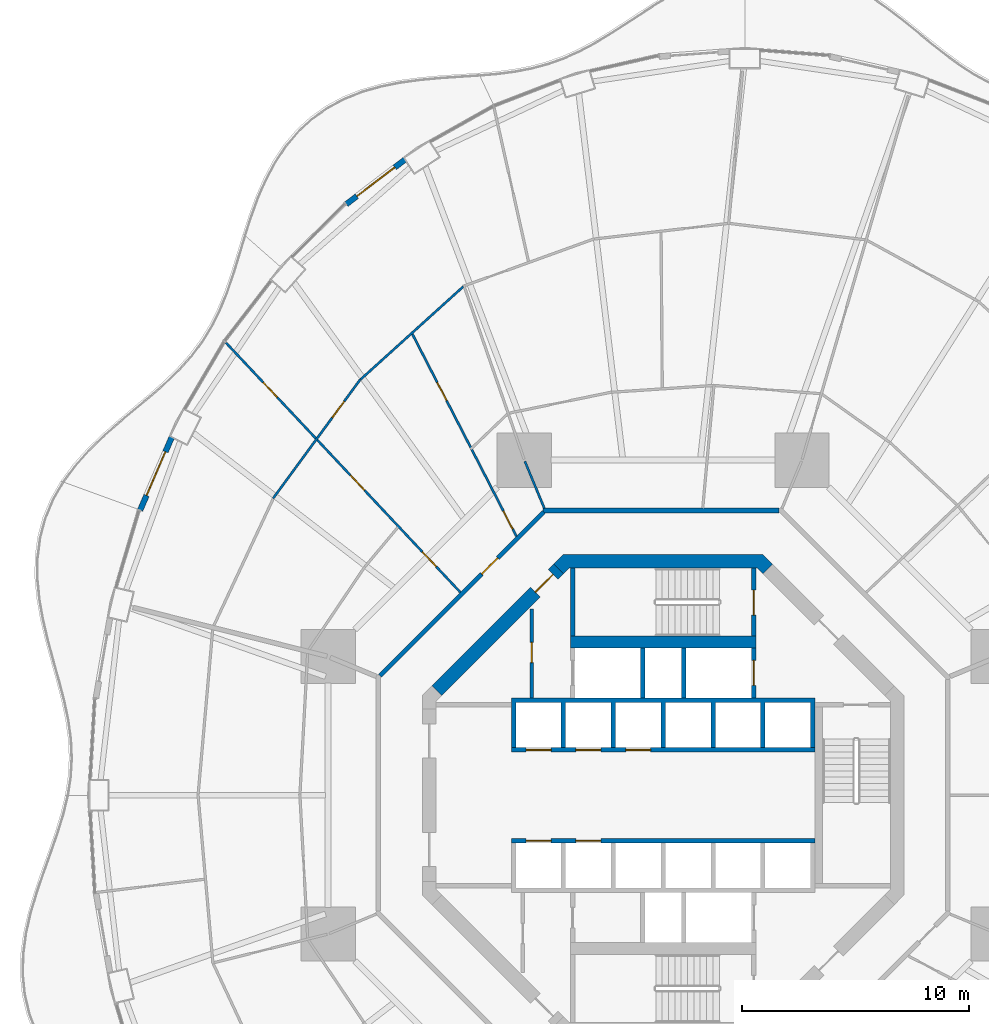
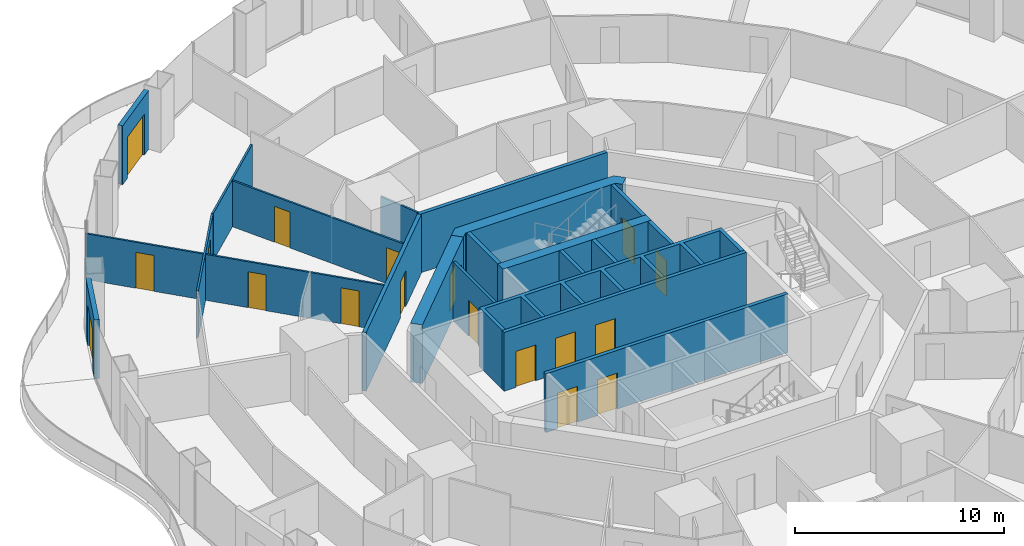
# One storey, part 17 of 22: 21 walls, 18 doors, 18 openings.
"""IFC4 building model written with IfcOpenShell, lengths in metres."""

from ifc_helpers import new_model, si_unit, direction, frame, frame_2d, origin, place, context, subcontext, project, spatial, polyline, rectangle, outline, extrude, material, layer, layer_set, type_object, element, fill, save


model = new_model("IFC4")

# Units and contexts
model_context = context("Model", 3, precision=1e-05, world=origin(), true_north=direction((0.0, 1.0)))
body_context = subcontext(model_context, "Body", "Model", "MODEL_VIEW")
ifc_project = project(units=[si_unit("LENGTHUNIT", "METRE"), si_unit("AREAUNIT", "SQUARE_METRE"), si_unit("VOLUMEUNIT", "CUBIC_METRE"), si_unit("PLANEANGLEUNIT", "RADIAN"), si_unit("MASSUNIT", "GRAM", prefix="KILO")], contexts=[model_context])

# Site, building, storey
site_placement = place(None, origin())
site = spatial("IfcSite", under=ifc_project, at=site_placement, CompositionType="ELEMENT")
building_placement = place(site_placement, origin())
building = spatial("IfcBuilding", under=site, at=building_placement, Name="Nagisa Residences", CompositionType="ELEMENT")
storey_placement = place(building_placement, frame((0.0, 0.0, 45.5)))
storey = spatial("IfcBuildingStorey", under=building, at=storey_placement, Name="L10", CompositionType="ELEMENT", Elevation=45.5)

# Wall
ifc_material_1 = material(Name="Gypsum board on steel studs", Category="steel")
ifc_layer_1 = layer(ifc_material_1, 0.199951171875)
ifc_layer_set_1 = layer_set([ifc_layer_1], Name="Apartment entry wall EI60 200")
wall_type_1 = type_object("IfcWallType", Name="Apartment entry wall EI60 200", PredefinedType="PARTITIONING", material=ifc_layer_set_1)
wall_1_placement = place(storey_placement, frame((5.1044921875, 12.564697265625, 0.0), z_axis=(0.0, 0.0, 1.0), x_axis=(-1.0, 0.0, 0.0)))
element("IfcWall", 1, at=wall_1_placement, inside=storey, type_object=wall_type_1, Name="wall:L10:u08", PredefinedType="PARTITIONING", context=body_context, shape_type="SweptSolid", body=[
    extrude(rectangle(XDim=10.408935546875, YDim=0.199951171875, at=frame_2d((5.20458984375, 0.0))), origin(), (0.0, 0.0, 1.0), 3.43994140625),
])

# Wall, opening, door
wall_2_placement = place(storey_placement, frame((-5.275146484375, 12.494140625, 0.0), z_axis=(0.0, 0.0, 1.0), x_axis=(-0.707106781187, -0.707106781187, 0.0)))
wall_2 = element("IfcWall", 2, at=wall_2_placement, inside=storey, type_object=wall_type_1, Name="wall:L10:u09", PredefinedType="PARTITIONING", context=body_context, shape_type="SweptSolid", body=[
    extrude(rectangle(XDim=10.209228515625, YDim=0.199951171875, at=frame_2d((5.1044921875, 0.0))), origin(), (0.0, 0.0, 1.0), 3.43994140625),
])
opening_1_placement = place(wall_2_placement, frame((2.86962890625, 0.0, 0.0)))
opening_1 = element("IfcOpeningElement", 3, at=opening_1_placement, cuts=wall_2, Name="Opening L10-U01", PredefinedType="OPENING", context=body_context, shape_type="SweptSolid", body=[
    extrude(rectangle(XDim=1.0, YDim=2.10009765625, at=frame_2d((0.5, 1.050048828125))), frame((0.0, 0.10986328125, 0.0), z_axis=(0.0, -1.0, 0.0), x_axis=(1.0, 0.0, 0.0)), (0.0, 0.0, 1.0), 0.219970703125),
])
ifc_material_2 = material(Name="Timber fire door set", Category="wood")
door_type_1 = type_object("IfcDoorType", Name="Apartment entry door FD30S 1000x2100", OperationType="NOTDEFINED", PredefinedType="DOOR", material=ifc_material_2)
door_1_placement = place(opening_1_placement, frame((1.0, 0.0, 0.0), x_axis=(-1.0, 0.0, 0.0)))
door_1 = element("IfcDoor", 4, at=door_1_placement, inside=storey, type_object=door_type_1, Name="Entry door, Apartment 10A", OperationType="SINGLE_SWING_RIGHT", OverallHeight=2.10009765625, OverallWidth=1.0, PredefinedType="DOOR", context=body_context, shape_type="SweptSolid", body=[
    extrude(rectangle(XDim=1.0, YDim=2.10009765625, at=frame_2d((0.5, 1.050048828125))), frame((0.0, 0.02490234375, 0.0), z_axis=(0.0, -1.0, 0.0), x_axis=(1.0, 0.0, 0.0)), (0.0, 0.0, 1.0), 0.050048828125),
])
fill(opening_1, door_1)

# Walls
ifc_material_3 = material(Name="Gypsum board on steel studs", Category="steel")
ifc_layer_2 = layer(ifc_material_3, 0.10009765625)
ifc_layer_set_2 = layer_set([ifc_layer_2], Name="Apartment partition 100")
wall_type_2 = type_object("IfcWallType", Name="Apartment partition 100", PredefinedType="PARTITIONING", material=ifc_layer_set_2)
wall_3_placement = place(storey_placement, frame((-5.24267578125, 12.6572265625, 0.0), z_axis=(0.0, 0.0, 1.0), x_axis=(-0.382719158442, 0.923864733477, 0.0)))
element("IfcWall", 5, at=wall_3_placement, inside=storey, type_object=wall_type_2, Name="wall:L10:u42", PredefinedType="PARTITIONING", context=body_context, shape_type="SweptSolid", body=[
    extrude(rectangle(XDim=2.25, YDim=0.10009765625, at=frame_2d((1.125, 0.0))), origin(), (0.0, 0.0, 1.0), 3.43994140625),
])
wall_4_placement = place(storey_placement, frame((-8.823486328125, 22.440673828125, 0.0), z_axis=(0.0, 0.0, 1.0), x_axis=(-0.741722263338, -0.670707152242, 0.0)))
element("IfcWall", 6, at=wall_4_placement, inside=storey, type_object=wall_type_2, Name="wall:L10:u45", PredefinedType="PARTITIONING", context=body_context, shape_type="SweptSolid", body=[
    extrude(rectangle(XDim=6.109130859375, YDim=0.10009765625, at=frame_2d((3.0546875, 0.0))), origin(), (0.0, 0.0, 1.0), 2.756103515625),
])

# Wall, openings, doors
wall_5_placement = place(storey_placement, frame((-6.47705078125, 11.427001953125, 0.0), z_axis=(0.0, 0.0, 1.0), x_axis=(-0.457464037982, 0.889228122561, 0.0)))
wall_5 = element("IfcWall", 7, at=wall_5_placement, inside=storey, type_object=wall_type_2, Name="wall:L10:u46", PredefinedType="PARTITIONING", context=body_context, shape_type="SweptSolid", body=[
    extrude(rectangle(XDim=10.03173828125, YDim=0.10009765625, at=frame_2d((5.015869140625, 0.0))), origin(), (0.0, 0.0, 1.0), 2.68701171875),
])
opening_2_placement = place(wall_5_placement, frame((0.35009765625, 0.0, 0.0)))
opening_2 = element("IfcOpeningElement", 8, at=opening_2_placement, cuts=wall_5, Name="Opening L10-U02", PredefinedType="OPENING", context=body_context, shape_type="SweptSolid", body=[
    extrude(rectangle(XDim=0.89990234375, YDim=2.10009765625, at=frame_2d((0.449951171875, 1.050048828125))), frame((0.0, 0.06005859375, 0.0), z_axis=(0.0, -1.0, 0.0), x_axis=(1.0, 0.0, 0.0)), (0.0, 0.0, 1.0), 0.1201171875),
])
opening_3_placement = place(wall_5_placement, frame((6.735107421875, 0.0, 0.0)))
opening_3 = element("IfcOpeningElement", 9, at=opening_3_placement, cuts=wall_5, Name="Opening L10-U04", PredefinedType="OPENING", context=body_context, shape_type="SweptSolid", body=[
    extrude(rectangle(XDim=0.89990234375, YDim=2.10009765625, at=frame_2d((0.449951171875, 1.050048828125))), frame((0.0, 0.06005859375, 0.0), z_axis=(0.0, -1.0, 0.0), x_axis=(1.0, 0.0, 0.0)), (0.0, 0.0, 1.0), 0.1201171875),
])
ifc_material_4 = material(Name="Timber door set", Category="wood")
door_type_2 = type_object("IfcDoorType", Name="Apartment door 900x2100", OperationType="NOTDEFINED", PredefinedType="DOOR", material=ifc_material_4)
door_2_placement = place(opening_2_placement, frame((0.89990234375, 0.0, 0.0), x_axis=(-1.0, 0.0, 0.0)))
door_2 = element("IfcDoor", 10, at=door_2_placement, inside=storey, type_object=door_type_2, Name="Door to family bathroom, Apartment 10A", OperationType="SINGLE_SWING_LEFT", OverallHeight=2.10009765625, OverallWidth=0.89990234375, PredefinedType="DOOR", context=body_context, shape_type="SweptSolid", body=[
    extrude(rectangle(XDim=0.89990234375, YDim=2.10009765625, at=frame_2d((0.449951171875, 1.050048828125))), frame((0.0, 0.02490234375, 0.0), z_axis=(0.0, -1.0, 0.0), x_axis=(1.0, 0.0, 0.0)), (0.0, 0.0, 1.0), 0.050048828125),
])
fill(opening_2, door_2)
door_3_placement = place(opening_3_placement, frame((0.89990234375, 0.0, 0.0), x_axis=(-1.0, 0.0, 0.0)))
door_3 = element("IfcDoor", 11, at=door_3_placement, inside=storey, type_object=door_type_2, Name="Door to family bathroom, Apartment 10A", OperationType="SINGLE_SWING_LEFT", OverallHeight=2.10009765625, OverallWidth=0.89990234375, PredefinedType="DOOR", context=body_context, shape_type="SweptSolid", body=[
    extrude(rectangle(XDim=0.89990234375, YDim=2.10009765625, at=frame_2d((0.449951171875, 1.050048828125))), frame((0.0, 0.02490234375, 0.0), z_axis=(0.0, -1.0, 0.0), x_axis=(1.0, 0.0, 0.0)), (0.0, 0.0, 1.0), 0.050048828125),
])
fill(opening_3, door_3)

# Wall, opening, door
wall_6_placement = place(storey_placement, frame((-13.3623046875, 18.35009765625, 0.0), z_axis=(0.0, 0.0, 1.0), x_axis=(-0.591191311491, -0.806531359104, 0.0)))
wall_6 = element("IfcWall", 12, at=wall_6_placement, inside=storey, type_object=wall_type_2, Name="wall:L10:u47", PredefinedType="PARTITIONING", context=body_context, shape_type="SweptSolid", body=[
    extrude(rectangle(XDim=6.510009765625, YDim=0.10009765625, at=frame_2d((3.2548828125, 0.0))), origin(), (0.0, 0.0, 1.0), 2.756103515625),
])
opening_4_placement = place(wall_6_placement, frame((1.202392578125, 0.0, 0.0)))
opening_4 = element("IfcOpeningElement", 13, at=opening_4_placement, cuts=wall_6, Name="Opening L10-U06", PredefinedType="OPENING", context=body_context, shape_type="SweptSolid", body=[
    extrude(rectangle(XDim=0.89990234375, YDim=2.10009765625, at=frame_2d((0.449951171875, 1.050048828125))), frame((0.0, 0.06005859375, 0.0), z_axis=(0.0, -1.0, 0.0), x_axis=(1.0, 0.0, 0.0)), (0.0, 0.0, 1.0), 0.1201171875),
])
door_4_placement = place(opening_4_placement, frame((0.89990234375, 0.0, 0.0), x_axis=(-1.0, 0.0, 0.0)))
door_4 = element("IfcDoor", 14, at=door_4_placement, inside=storey, type_object=door_type_2, Name="Door to family room, Apartment 10A", OperationType="SINGLE_SWING_LEFT", OverallHeight=2.10009765625, OverallWidth=0.89990234375, PredefinedType="DOOR", context=body_context, shape_type="SweptSolid", body=[
    extrude(rectangle(XDim=0.89990234375, YDim=2.10009765625, at=frame_2d((0.449951171875, 1.050048828125))), frame((0.0, 0.02490234375, 0.0), z_axis=(0.0, -1.0, 0.0), x_axis=(1.0, 0.0, 0.0)), (0.0, 0.0, 1.0), 0.050048828125),
])
fill(opening_4, door_4)

# Wall, openings, doors
wall_7_placement = place(storey_placement, frame((-8.953125, 8.95751953125, 0.0), z_axis=(0.0, 0.0, 1.0), x_axis=(-0.684574307023, 0.728943082939, 0.0)))
wall_7 = element("IfcWall", 15, at=wall_7_placement, inside=storey, type_object=wall_type_2, Name="wall:L10:u48", PredefinedType="PARTITIONING", context=body_context, shape_type="SweptSolid", body=[
    extrude(rectangle(XDim=15.23095703125, YDim=0.10009765625, at=frame_2d((7.615478515625, 0.0))), origin(), (0.0, 0.0, 1.0), 2.68701171875),
])
opening_5_placement = place(wall_7_placement, frame((1.5400390625, 0.0, 0.0)))
opening_5 = element("IfcOpeningElement", 16, at=opening_5_placement, cuts=wall_7, Name="Opening L10-U03", PredefinedType="OPENING", context=body_context, shape_type="SweptSolid", body=[
    extrude(rectangle(XDim=0.89990234375, YDim=2.10009765625, at=frame_2d((0.449951171875, 1.050048828125))), frame((0.0, 0.06005859375, 0.0), z_axis=(0.0, -1.0, 0.0), x_axis=(1.0, 0.0, 0.0)), (0.0, 0.0, 1.0), 0.1201171875),
])
opening_6_placement = place(wall_7_placement, frame((6.17431640625, 0.0, 0.0)))
opening_6 = element("IfcOpeningElement", 17, at=opening_6_placement, cuts=wall_7, Name="Opening L10-U05", PredefinedType="OPENING", context=body_context, shape_type="SweptSolid", body=[
    extrude(rectangle(XDim=0.89990234375, YDim=2.10009765625, at=frame_2d((0.449951171875, 1.050048828125))), frame((0.0, 0.06005859375, 0.0), z_axis=(0.0, -1.0, 0.0), x_axis=(1.0, 0.0, 0.0)), (0.0, 0.0, 1.0), 0.1201171875),
])
opening_7_placement = place(wall_7_placement, frame((11.7998046875, 0.0, 0.0)))
opening_7 = element("IfcOpeningElement", 18, at=opening_7_placement, cuts=wall_7, Name="Opening L10-U07", PredefinedType="OPENING", context=body_context, shape_type="SweptSolid", body=[
    extrude(rectangle(XDim=0.89990234375, YDim=2.10009765625, at=frame_2d((0.449951171875, 1.050048828125))), frame((0.0, 0.06005859375, 0.0), z_axis=(0.0, -1.0, 0.0), x_axis=(1.0, 0.0, 0.0)), (0.0, 0.0, 1.0), 0.1201171875),
])
door_5_placement = place(opening_5_placement, origin())
door_5 = element("IfcDoor", 19, at=door_5_placement, inside=storey, type_object=door_type_2, Name="Door to store, Apartment 10A", OperationType="SINGLE_SWING_LEFT", OverallHeight=2.10009765625, OverallWidth=0.89990234375, PredefinedType="DOOR", context=body_context, shape_type="SweptSolid", body=[
    extrude(rectangle(XDim=0.89990234375, YDim=2.10009765625, at=frame_2d((0.449951171875, 1.050048828125))), frame((0.0, 0.02490234375, 0.0), z_axis=(0.0, -1.0, 0.0), x_axis=(1.0, 0.0, 0.0)), (0.0, 0.0, 1.0), 0.050048828125),
])
fill(opening_5, door_5)
door_6_placement = place(opening_6_placement, origin())
door_6 = element("IfcDoor", 20, at=door_6_placement, inside=storey, type_object=door_type_2, Name="Door to kitchen, Apartment 10A", OperationType="SINGLE_SWING_LEFT", OverallHeight=2.10009765625, OverallWidth=0.89990234375, PredefinedType="DOOR", context=body_context, shape_type="SweptSolid", body=[
    extrude(rectangle(XDim=0.89990234375, YDim=2.10009765625, at=frame_2d((0.449951171875, 1.050048828125))), frame((0.0, 0.02490234375, 0.0), z_axis=(0.0, -1.0, 0.0), x_axis=(1.0, 0.0, 0.0)), (0.0, 0.0, 1.0), 0.050048828125),
])
fill(opening_6, door_6)
door_7_placement = place(opening_7_placement, origin())
door_7 = element("IfcDoor", 21, at=door_7_placement, inside=storey, type_object=door_type_2, Name="Door to master bedroom, Apartment 10A", OperationType="SINGLE_SWING_LEFT", OverallHeight=2.10009765625, OverallWidth=0.89990234375, PredefinedType="DOOR", context=body_context, shape_type="SweptSolid", body=[
    extrude(rectangle(XDim=0.89990234375, YDim=2.10009765625, at=frame_2d((0.449951171875, 1.050048828125))), frame((0.0, 0.02490234375, 0.0), z_axis=(0.0, -1.0, 0.0), x_axis=(1.0, 0.0, 0.0)), (0.0, 0.0, 1.0), 0.050048828125),
])
fill(opening_7, door_7)

# Wall, opening, door
ifc_material_5 = material(Name="Precast concrete C40/50", Category="concrete")
ifc_layer_3 = layer(ifc_material_5, 0.25)
ifc_layer_set_3 = layer_set([ifc_layer_3], Name="BALCONY DOOR WALL 250")
wall_type_3 = type_object("IfcWallType", Name="BALCONY DOOR WALL 250", PredefinedType="SOLIDWALL", material=ifc_layer_set_3)
wall_8_placement = place(storey_placement, frame((-13.978515625, 26.0810546875, 0.0), z_axis=(0.0, 0.0, 1.0), x_axis=(0.796022293214, 0.605267303517, 0.0)))
wall_8 = element("IfcWall", 22, at=wall_8_placement, inside=storey, type_object=wall_type_3, Name="wall:L10:bay16", PredefinedType="SOLIDWALL", context=body_context, shape_type="SweptSolid", body=[
    extrude(rectangle(XDim=3.262451171875, YDim=0.25, at=frame_2d((1.63134765625, 0.0))), origin(), (0.0, 0.0, 1.0), 3.43994140625),
])
opening_8_placement = place(wall_8_placement, frame((0.5810546875, 0.0, 0.0)))
opening_8 = element("IfcOpeningElement", 23, at=opening_8_placement, cuts=wall_8, Name="Opening BD-L10-06", PredefinedType="OPENING", context=body_context, shape_type="SweptSolid", body=[
    extrude(rectangle(XDim=2.10009765625, YDim=2.39990234375, at=frame_2d((1.050048828125, 1.199951171875))), frame((0.0, 0.135009765625, 0.0), z_axis=(0.0, -1.0, 0.0), x_axis=(1.0, 0.0, 0.0)), (0.0, 0.0, 1.0), 0.27001953125),
])
ifc_material_6 = material(Name="Aluminium and clear glass", Category="aluminium")
door_type_3 = type_object("IfcDoorType", Name="BALCONY SLIDING DOOR 2100x2400", OperationType="SLIDING_TO_LEFT", PredefinedType="DOOR", material=ifc_material_6)
door_8_placement = place(opening_8_placement, origin())
door_8 = element("IfcDoor", 24, at=door_8_placement, inside=storey, type_object=door_type_3, Name="door:L10:bay16", OperationType="SLIDING_TO_LEFT", OverallHeight=2.39990234375, OverallWidth=2.10009765625, PredefinedType="DOOR", context=body_context, shape_type="SweptSolid", body=[
    extrude(rectangle(XDim=2.10009765625, YDim=2.39990234375, at=frame_2d((1.050048828125, 1.199951171875))), frame((0.0, 0.02490234375, 0.0), z_axis=(0.0, -1.0, 0.0), x_axis=(1.0, 0.0, 0.0)), (0.0, 0.0, 1.0), 0.050048828125),
])
fill(opening_8, door_8)

wall_9_placement = place(storey_placement, frame((-23.077880859375, 12.578857421875, 0.0), z_axis=(0.0, 0.0, 1.0), x_axis=(0.397624958345, 0.917548032803, 0.0)))
wall_9 = element("IfcWall", 25, at=wall_9_placement, inside=storey, type_object=wall_type_3, Name="wall:L10:bay20", PredefinedType="SOLIDWALL", context=body_context, shape_type="SweptSolid", body=[
    extrude(rectangle(XDim=3.51953125, YDim=0.25, at=frame_2d((1.759765625, 0.0))), origin(), (0.0, 0.0, 1.0), 3.43994140625),
])
opening_9_placement = place(wall_9_placement, frame((0.709716796875, 0.0, 0.0)))
opening_9 = element("IfcOpeningElement", 26, at=opening_9_placement, cuts=wall_9, Name="Opening BD-L10-07", PredefinedType="OPENING", context=body_context, shape_type="SweptSolid", body=[
    extrude(rectangle(XDim=2.10009765625, YDim=2.39990234375, at=frame_2d((1.050048828125, 1.199951171875))), frame((0.0, 0.135009765625, 0.0), z_axis=(0.0, -1.0, 0.0), x_axis=(1.0, 0.0, 0.0)), (0.0, 0.0, 1.0), 0.27001953125),
])
door_9_placement = place(opening_9_placement, origin())
door_9 = element("IfcDoor", 27, at=door_9_placement, inside=storey, type_object=door_type_3, Name="door:L10:bay20", OperationType="SLIDING_TO_LEFT", OverallHeight=2.39990234375, OverallWidth=2.10009765625, PredefinedType="DOOR", context=body_context, shape_type="SweptSolid", body=[
    extrude(rectangle(XDim=2.10009765625, YDim=2.39990234375, at=frame_2d((1.050048828125, 1.199951171875))), frame((0.0, 0.02490234375, 0.0), z_axis=(0.0, -1.0, 0.0), x_axis=(1.0, 0.0, 0.0)), (0.0, 0.0, 1.0), 0.050048828125),
])
fill(opening_9, door_9)

ifc_material_7 = material(Name="Gypsum board on steel studs", Category="steel")
ifc_layer_4 = layer(ifc_material_7, 0.14990234375)
ifc_layer_set_4 = layer_set([ifc_layer_4], Name="Core partition 150")
wall_type_4 = type_object("IfcWallType", Name="Core partition 150", PredefinedType="PARTITIONING", material=ifc_layer_set_4)
wall_10_placement = place(storey_placement, frame((-5.800048828125, 4.300048828125, 0.0), z_axis=(0.0, 0.0, 1.0), x_axis=(0.0, 1.0, 0.0)))
wall_10 = element("IfcWall", 28, at=wall_10_placement, inside=storey, type_object=wall_type_4, Name="wall:L10:NWp", PredefinedType="PARTITIONING", context=body_context, shape_type="SweptSolid", body=[
    extrude(rectangle(XDim=3.927001953125, YDim=0.14990234375, at=frame_2d((1.96337890625, 0.0))), origin(), (0.0, 0.0, 1.0), 3.43994140625),
])
opening_10_placement = place(wall_10_placement, frame((1.551025390625, 0.0, 0.0)))
opening_10 = element("IfcOpeningElement", 29, at=opening_10_placement, cuts=wall_10, Name="Opening L10-C12", PredefinedType="OPENING", context=body_context, shape_type="SweptSolid", body=[
    extrude(rectangle(XDim=0.89990234375, YDim=2.10009765625, at=frame_2d((0.449951171875, 1.050048828125))), frame((0.0, 0.0849609375, 0.0), z_axis=(0.0, -1.0, 0.0), x_axis=(1.0, 0.0, 0.0)), (0.0, 0.0, 1.0), 0.169921875),
])
ifc_material_8 = material(Name="Steel fire door", Category="steel")
door_type_4 = type_object("IfcDoorType", Name="Fire door EI30 900x2100 single swing", OperationType="NOTDEFINED", PredefinedType="DOOR", material=ifc_material_8)
door_10_placement = place(opening_10_placement, origin())
door_10 = element("IfcDoor", 30, at=door_10_placement, inside=storey, type_object=door_type_4, Name="Package room door L10", OperationType="SINGLE_SWING_RIGHT", OverallHeight=2.10009765625, OverallWidth=0.89990234375, PredefinedType="DOOR", context=body_context, shape_type="SweptSolid", body=[
    extrude(rectangle(XDim=0.89990234375, YDim=2.10009765625, at=frame_2d((0.449951171875, 1.050048828125))), frame((0.0, 0.02490234375, 0.0), z_axis=(0.0, -1.0, 0.0), x_axis=(1.0, 0.0, 0.0)), (0.0, 0.0, 1.0), 0.050048828125),
])
fill(opening_10, door_10)

ifc_material_9 = material(Name="Concrete C60", Category="concrete")
ifc_layer_5 = layer(ifc_material_9, 0.60009765625)
ifc_layer_set_5 = layer_set([ifc_layer_5], Name="Core shear wall 600")
wall_type_5 = type_object("IfcWallType", Name="Core shear wall 600", PredefinedType="SHEAR", material=ifc_layer_set_5)
wall_11_placement = place(storey_placement, frame((-4.613037109375, 9.98828125, 0.0), z_axis=(0.0, 0.0, 1.0), x_axis=(-0.707106781187, -0.707106781187, 0.0)))
wall_11 = element("IfcWall", 31, at=wall_11_placement, inside=storey, type_object=wall_type_5, Name="wall:L10:core:flat3", PredefinedType="SHEAR", context=body_context, shape_type="SweptSolid", body=[
    extrude(rectangle(XDim=7.601806640625, YDim=0.60009765625, at=frame_2d((3.80078125, 0.0))), origin(), (0.0, 0.0, 1.0), 3.43994140625),
])
opening_11_placement = place(wall_11_placement, frame((0.350830078125, 0.0, 0.0)))
opening_11 = element("IfcOpeningElement", 32, at=opening_11_placement, cuts=wall_11, Name="Opening L10-C19", PredefinedType="OPENING", context=body_context, shape_type="SweptSolid", body=[
    extrude(rectangle(XDim=1.10009765625, YDim=2.10009765625, at=frame_2d((0.550048828125, 1.050048828125))), frame((0.0, 0.31005859375, 0.0), z_axis=(0.0, -1.0, 0.0), x_axis=(1.0, 0.0, 0.0)), (0.0, 0.0, 1.0), 0.6201171875),
])
ifc_material_10 = material(Name="Steel fire door", Category="steel")
door_type_5 = type_object("IfcDoorType", Name="Fire door EI60 1100x2100 single swing", OperationType="NOTDEFINED", PredefinedType="DOOR", material=ifc_material_10)
door_11_placement = place(opening_11_placement, origin())
door_11 = element("IfcDoor", 33, at=door_11_placement, inside=storey, type_object=door_type_5, Name="Service lobby door L10", OperationType="SINGLE_SWING_RIGHT", OverallHeight=2.10009765625, OverallWidth=1.10009765625, PredefinedType="DOOR", context=body_context, shape_type="SweptSolid", body=[
    extrude(rectangle(XDim=1.10009765625, YDim=2.10009765625, at=frame_2d((0.550048828125, 1.050048828125))), frame((0.0, 0.02490234375, 0.0), z_axis=(0.0, -1.0, 0.0), x_axis=(1.0, 0.0, 0.0)), (0.0, 0.0, 1.0), 0.050048828125),
])
fill(opening_11, door_11)

# Wall
wall_12_placement = place(storey_placement, origin())
element("IfcWall", 34, at=wall_12_placement, inside=storey, type_object=wall_type_5, Name="wall:L10:core:flat2", PredefinedType="SHEAR", context=body_context, shape_type="SweptSolid", body=[
    extrude(outline(polyline([(-4.15234375, 10.024658203125), (-4.40087890625, 9.776123046875), (-4.8251953125, 10.200439453125), (-4.40087890625, 10.62451171875), (4.40087890625, 10.62451171875), (4.8251953125, 10.200439453125), (4.40087890625, 9.776123046875), (4.15234375, 10.024658203125), (-4.15234375, 10.024658203125)])), origin(), (0.0, 0.0, 1.0), 3.43994140625),
])

# Wall, opening, door
ifc_material_11 = material(Name="Concrete C60", Category="concrete")
ifc_layer_6 = layer(ifc_material_11, 0.199951171875)
ifc_layer_set_6 = layer_set([ifc_layer_6], Name="Lift shaft wall 200")
wall_type_6 = type_object("IfcWallType", Name="Lift shaft wall 200", PredefinedType="SOLIDWALL", material=ifc_layer_set_6)
wall_13_placement = place(storey_placement, frame((4.0, 4.300048828125, 0.0), z_axis=(0.0, 0.0, 1.0), x_axis=(0.0, 1.0, 0.0)))
wall_13 = element("IfcWall", 35, at=wall_13_placement, inside=storey, type_object=wall_type_6, Name="wall:L10:Nb3", PredefinedType="SOLIDWALL", context=body_context, shape_type="SweptSolid", body=[
    extrude(rectangle(XDim=2.199951171875, YDim=0.199951171875, at=frame_2d((1.10009765625, 0.0))), origin(), (0.0, 0.0, 1.0), 3.43994140625),
])
opening_12_placement = place(wall_13_placement, frame((0.550048828125, 0.0, 0.0)))
opening_12 = element("IfcOpeningElement", 36, at=opening_12_placement, cuts=wall_13, Name="Opening L10-C06", PredefinedType="OPENING", context=body_context, shape_type="SweptSolid", body=[
    extrude(rectangle(XDim=1.10009765625, YDim=2.10009765625, at=frame_2d((0.550048828125, 1.050048828125))), frame((0.0, 0.10986328125, 0.0), z_axis=(0.0, -1.0, 0.0), x_axis=(1.0, 0.0, 0.0)), (0.0, 0.0, 1.0), 0.219970703125),
])
ifc_material_12 = material(Name="Stainless steel", Category="steel")
door_type_6 = type_object("IfcDoorType", Name="Lift landing door 1100x2100", OperationType="DOUBLE_DOOR_SLIDING", PredefinedType="DOOR", material=ifc_material_12)
door_12_placement = place(opening_12_placement, origin())
door_12 = element("IfcDoor", 37, at=door_12_placement, inside=storey, type_object=door_type_6, Name="Landing door FL1 L10", OperationType="DOUBLE_DOOR_SLIDING", OverallHeight=2.10009765625, OverallWidth=1.10009765625, PredefinedType="DOOR", context=body_context, shape_type="SweptSolid", body=[
    extrude(rectangle(XDim=1.10009765625, YDim=2.10009765625, at=frame_2d((0.550048828125, 1.050048828125))), frame((0.0, 0.02490234375, 0.0), z_axis=(0.0, -1.0, 0.0), x_axis=(1.0, 0.0, 0.0)), (0.0, 0.0, 1.0), 0.050048828125),
])
fill(opening_12, door_12)

# Wall, openings, doors
wall_14_placement = place(storey_placement, frame((-6.699951171875, 2.0, 0.0), z_axis=(0.0, 0.0, 1.0), x_axis=(1.0, 0.0, 0.0)))
wall_14 = element("IfcWall", 38, at=wall_14_placement, inside=storey, type_object=wall_type_6, Name="wall:L10:Nfront", PredefinedType="SOLIDWALL", context=body_context, shape_type="SweptSolid", body=[
    extrude(rectangle(XDim=13.39990234375, YDim=0.199951171875, at=frame_2d((6.699951171875, 0.0))), origin(), (0.0, 0.0, 1.0), 3.43994140625),
])
opening_13_placement = place(wall_14_placement, frame((0.64990234375, 0.0, 0.0)))
opening_13 = element("IfcOpeningElement", 39, at=opening_13_placement, cuts=wall_14, Name="Opening L10-C01", PredefinedType="OPENING", context=body_context, shape_type="SweptSolid", body=[
    extrude(rectangle(XDim=1.10009765625, YDim=2.10009765625, at=frame_2d((0.550048828125, 1.050048828125))), frame((0.0, 0.10986328125, 0.0), z_axis=(0.0, -1.0, 0.0), x_axis=(1.0, 0.0, 0.0)), (0.0, 0.0, 1.0), 0.219970703125),
])
opening_14_placement = place(wall_14_placement, frame((2.85009765625, 0.0, 0.0)))
opening_14 = element("IfcOpeningElement", 40, at=opening_14_placement, cuts=wall_14, Name="Opening L10-C02", PredefinedType="OPENING", context=body_context, shape_type="SweptSolid", body=[
    extrude(rectangle(XDim=1.10009765625, YDim=2.10009765625, at=frame_2d((0.550048828125, 1.050048828125))), frame((0.0, 0.10986328125, 0.0), z_axis=(0.0, -1.0, 0.0), x_axis=(1.0, 0.0, 0.0)), (0.0, 0.0, 1.0), 0.219970703125),
])
opening_15_placement = place(wall_14_placement, frame((5.050048828125, 0.0, 0.0)))
opening_15 = element("IfcOpeningElement", 41, at=opening_15_placement, cuts=wall_14, Name="Opening L10-C03", PredefinedType="OPENING", context=body_context, shape_type="SweptSolid", body=[
    extrude(rectangle(XDim=1.10009765625, YDim=2.10009765625, at=frame_2d((0.550048828125, 1.050048828125))), frame((0.0, 0.10986328125, 0.0), z_axis=(0.0, -1.0, 0.0), x_axis=(1.0, 0.0, 0.0)), (0.0, 0.0, 1.0), 0.219970703125),
])
door_13_placement = place(opening_13_placement, origin())
door_13 = element("IfcDoor", 42, at=door_13_placement, inside=storey, type_object=door_type_6, Name="Landing door A1 L10", OperationType="DOUBLE_DOOR_SLIDING", OverallHeight=2.10009765625, OverallWidth=1.10009765625, PredefinedType="DOOR", context=body_context, shape_type="SweptSolid", body=[
    extrude(rectangle(XDim=1.10009765625, YDim=2.10009765625, at=frame_2d((0.550048828125, 1.050048828125))), frame((0.0, 0.02490234375, 0.0), z_axis=(0.0, -1.0, 0.0), x_axis=(1.0, 0.0, 0.0)), (0.0, 0.0, 1.0), 0.050048828125),
])
fill(opening_13, door_13)
door_14_placement = place(opening_14_placement, origin())
door_14 = element("IfcDoor", 43, at=door_14_placement, inside=storey, type_object=door_type_6, Name="Landing door A2 L10", OperationType="DOUBLE_DOOR_SLIDING", OverallHeight=2.10009765625, OverallWidth=1.10009765625, PredefinedType="DOOR", context=body_context, shape_type="SweptSolid", body=[
    extrude(rectangle(XDim=1.10009765625, YDim=2.10009765625, at=frame_2d((0.550048828125, 1.050048828125))), frame((0.0, 0.02490234375, 0.0), z_axis=(0.0, -1.0, 0.0), x_axis=(1.0, 0.0, 0.0)), (0.0, 0.0, 1.0), 0.050048828125),
])
fill(opening_14, door_14)
door_15_placement = place(opening_15_placement, origin())
door_15 = element("IfcDoor", 44, at=door_15_placement, inside=storey, type_object=door_type_6, Name="Landing door A3 L10", OperationType="DOUBLE_DOOR_SLIDING", OverallHeight=2.10009765625, OverallWidth=1.10009765625, PredefinedType="DOOR", context=body_context, shape_type="SweptSolid", body=[
    extrude(rectangle(XDim=1.10009765625, YDim=2.10009765625, at=frame_2d((0.550048828125, 1.050048828125))), frame((0.0, 0.02490234375, 0.0), z_axis=(0.0, -1.0, 0.0), x_axis=(1.0, 0.0, 0.0)), (0.0, 0.0, 1.0), 0.050048828125),
])
fill(opening_15, door_15)

wall_15_placement = place(storey_placement, frame((-6.699951171875, -2.0, 0.0), z_axis=(0.0, 0.0, 1.0), x_axis=(1.0, 0.0, 0.0)))
wall_15 = element("IfcWall", 45, at=wall_15_placement, inside=storey, type_object=wall_type_6, Name="wall:L10:Sfront", PredefinedType="SOLIDWALL", context=body_context, shape_type="SweptSolid", body=[
    extrude(rectangle(XDim=13.39990234375, YDim=0.199951171875, at=frame_2d((6.699951171875, 0.0))), origin(), (0.0, 0.0, 1.0), 3.43994140625),
])
opening_16_placement = place(wall_15_placement, frame((0.64990234375, 0.0, 0.0)))
opening_16 = element("IfcOpeningElement", 46, at=opening_16_placement, cuts=wall_15, Name="Opening L10-C04", PredefinedType="OPENING", context=body_context, shape_type="SweptSolid", body=[
    extrude(rectangle(XDim=1.10009765625, YDim=2.10009765625, at=frame_2d((0.550048828125, 1.050048828125))), frame((0.0, 0.10986328125, 0.0), z_axis=(0.0, -1.0, 0.0), x_axis=(1.0, 0.0, 0.0)), (0.0, 0.0, 1.0), 0.219970703125),
])
opening_17_placement = place(wall_15_placement, frame((2.85009765625, 0.0, 0.0)))
opening_17 = element("IfcOpeningElement", 47, at=opening_17_placement, cuts=wall_15, Name="Opening L10-C05", PredefinedType="OPENING", context=body_context, shape_type="SweptSolid", body=[
    extrude(rectangle(XDim=1.10009765625, YDim=2.10009765625, at=frame_2d((0.550048828125, 1.050048828125))), frame((0.0, 0.10986328125, 0.0), z_axis=(0.0, -1.0, 0.0), x_axis=(1.0, 0.0, 0.0)), (0.0, 0.0, 1.0), 0.219970703125),
])
door_16_placement = place(opening_16_placement, origin())
door_16 = element("IfcDoor", 48, at=door_16_placement, inside=storey, type_object=door_type_6, Name="Landing door A4 L10", OperationType="DOUBLE_DOOR_SLIDING", OverallHeight=2.10009765625, OverallWidth=1.10009765625, PredefinedType="DOOR", context=body_context, shape_type="SweptSolid", body=[
    extrude(rectangle(XDim=1.10009765625, YDim=2.10009765625, at=frame_2d((0.550048828125, 1.050048828125))), frame((0.0, 0.02490234375, 0.0), z_axis=(0.0, -1.0, 0.0), x_axis=(1.0, 0.0, 0.0)), (0.0, 0.0, 1.0), 0.050048828125),
])
fill(opening_16, door_16)
door_17_placement = place(opening_17_placement, origin())
door_17 = element("IfcDoor", 49, at=door_17_placement, inside=storey, type_object=door_type_6, Name="Landing door A5 L10", OperationType="DOUBLE_DOOR_SLIDING", OverallHeight=2.10009765625, OverallWidth=1.10009765625, PredefinedType="DOOR", context=body_context, shape_type="SweptSolid", body=[
    extrude(rectangle(XDim=1.10009765625, YDim=2.10009765625, at=frame_2d((0.550048828125, 1.050048828125))), frame((0.0, 0.02490234375, 0.0), z_axis=(0.0, -1.0, 0.0), x_axis=(1.0, 0.0, 0.0)), (0.0, 0.0, 1.0), 0.050048828125),
])
fill(opening_17, door_17)

# Walls
for number, where, z_axis, x_axis, name in (
    (50, (-0.89990234375, 4.300048828125, 0.0), (0.0, 0.0, 1.0), (0.0, 1.0, 0.0), "wall:L10:Nb1"),
    (51, (0.89990234375, 4.300048828125, 0.0), (0.0, 0.0, 1.0), (0.0, 1.0, 0.0), "wall:L10:Nb2"),
):
    element("IfcWall", number, at=place(storey_placement, frame(where, z_axis=z_axis, x_axis=x_axis)), inside=storey, type_object=wall_type_6, Name=name, PredefinedType="SOLIDWALL", context=body_context, shape_type="SweptSolid", body=[
        extrude(rectangle(XDim=2.199951171875, YDim=0.199951171875, at=frame_2d((1.10009765625, 0.0))), origin(), (0.0, 0.0, 1.0), 3.43994140625),
    ])
wall_16_placement = place(storey_placement, origin())
element("IfcWall", 52, at=wall_16_placement, inside=storey, type_object=wall_type_6, Name="wall:L10:Nback", PredefinedType="SOLIDWALL", context=body_context, shape_type="SweptSolid", body=[
    extrude(outline(polyline([(-6.5, 2.10009765625), (-6.699951171875, 2.10009765625), (-6.699951171875, 4.300048828125), (6.699951171875, 4.300048828125), (6.699951171875, 2.10009765625), (6.5, 2.10009765625), (6.5, 4.10009765625), (4.5, 4.10009765625), (4.5, 2.10009765625), (4.300048828125, 2.10009765625), (4.300048828125, 4.10009765625), (2.300048828125, 4.10009765625), (2.300048828125, 2.10009765625), (2.10009765625, 2.10009765625), (2.10009765625, 4.10009765625), (0.10009765625, 4.10009765625), (0.10009765625, 2.10009765625), (-0.10009765625, 2.10009765625), (-0.10009765625, 4.10009765625), (-2.10009765625, 4.10009765625), (-2.10009765625, 2.10009765625), (-2.300048828125, 2.10009765625), (-2.300048828125, 4.10009765625), (-4.300048828125, 4.10009765625), (-4.300048828125, 2.10009765625), (-4.5, 2.10009765625), (-4.5, 4.10009765625), (-6.5, 4.10009765625), (-6.5, 2.10009765625)])), origin(), (0.0, 0.0, 1.0), 3.43994140625),
])

# Wall, opening, door
ifc_material_13 = material(Name="Concrete C60", Category="concrete")
ifc_layer_7 = layer(ifc_material_13, 0.199951171875)
ifc_layer_set_7 = layer_set([ifc_layer_7], Name="Stair enclosure wall 200")
wall_type_7 = type_object("IfcWallType", Name="Stair enclosure wall 200", PredefinedType="SOLIDWALL", material=ifc_layer_set_7)
wall_17_placement = place(storey_placement, frame((4.0, 7.024658203125, 0.0), z_axis=(0.0, 0.0, 1.0), x_axis=(0.0, 1.0, 0.0)))
wall_17 = element("IfcWall", 53, at=wall_17_placement, inside=storey, type_object=wall_type_7, Name="wall:L10:SN_e", PredefinedType="SOLIDWALL", context=body_context, shape_type="SweptSolid", body=[
    extrude(rectangle(XDim=3.0, YDim=0.199951171875, at=frame_2d((1.5, 0.0))), origin(), (0.0, 0.0, 1.0), 3.43994140625),
])
opening_18_placement = place(wall_17_placement, frame((0.92529296875, 0.0, 0.0)))
opening_18 = element("IfcOpeningElement", 54, at=opening_18_placement, cuts=wall_17, Name="Opening L10-C10", PredefinedType="OPENING", context=body_context, shape_type="SweptSolid", body=[
    extrude(rectangle(XDim=1.10009765625, YDim=2.10009765625, at=frame_2d((0.550048828125, 1.050048828125))), frame((0.0, 0.10986328125, 0.0), z_axis=(0.0, -1.0, 0.0), x_axis=(1.0, 0.0, 0.0)), (0.0, 0.0, 1.0), 0.219970703125),
])
ifc_material_14 = material(Name="Steel fire door", Category="steel")
door_type_7 = type_object("IfcDoorType", Name="Fire door EI90 1100x2100 single swing", OperationType="NOTDEFINED", PredefinedType="DOOR", material=ifc_material_14)
door_18_placement = place(opening_18_placement, origin())
door_18 = element("IfcDoor", 55, at=door_18_placement, inside=storey, type_object=door_type_7, Name="Stair door ST-N L10", OperationType="SINGLE_SWING_LEFT", OverallHeight=2.10009765625, OverallWidth=1.10009765625, PredefinedType="DOOR", context=body_context, shape_type="SweptSolid", body=[
    extrude(rectangle(XDim=1.10009765625, YDim=2.10009765625, at=frame_2d((0.550048828125, 1.050048828125))), frame((0.0, 0.02490234375, 0.0), z_axis=(0.0, -1.0, 0.0), x_axis=(1.0, 0.0, 0.0)), (0.0, 0.0, 1.0), 0.050048828125),
])
fill(opening_18, door_18)

# Walls
wall_18_placement = place(storey_placement, origin())
element("IfcWall", 56, at=wall_18_placement, inside=storey, type_object=wall_type_7, Name="wall:L10:SN_w", PredefinedType="SOLIDWALL", context=body_context, shape_type="SweptSolid", body=[
    extrude(outline(polyline([(-3.89990234375, 7.024658203125), (-4.10009765625, 7.024658203125), (-4.10009765625, 10.024658203125), (-3.89990234375, 10.024658203125), (-3.89990234375, 7.024658203125)])), origin(), (0.0, 0.0, 1.0), 3.43994140625),
])
wall_19_placement = place(storey_placement, origin())
element("IfcWall", 57, at=wall_19_placement, inside=storey, type_object=wall_type_7, Name="wall:L10:SN_s", PredefinedType="SOLIDWALL", context=body_context, shape_type="SweptSolid", body=[
    extrude(outline(polyline([(4.10009765625, 6.5), (-4.10009765625, 6.5), (-4.10009765625, 7.024658203125), (4.10009765625, 7.024658203125), (4.10009765625, 6.5)])), origin(), (0.0, 0.0, 1.0), 3.43994140625),
])

save(model, "model.ifc")
